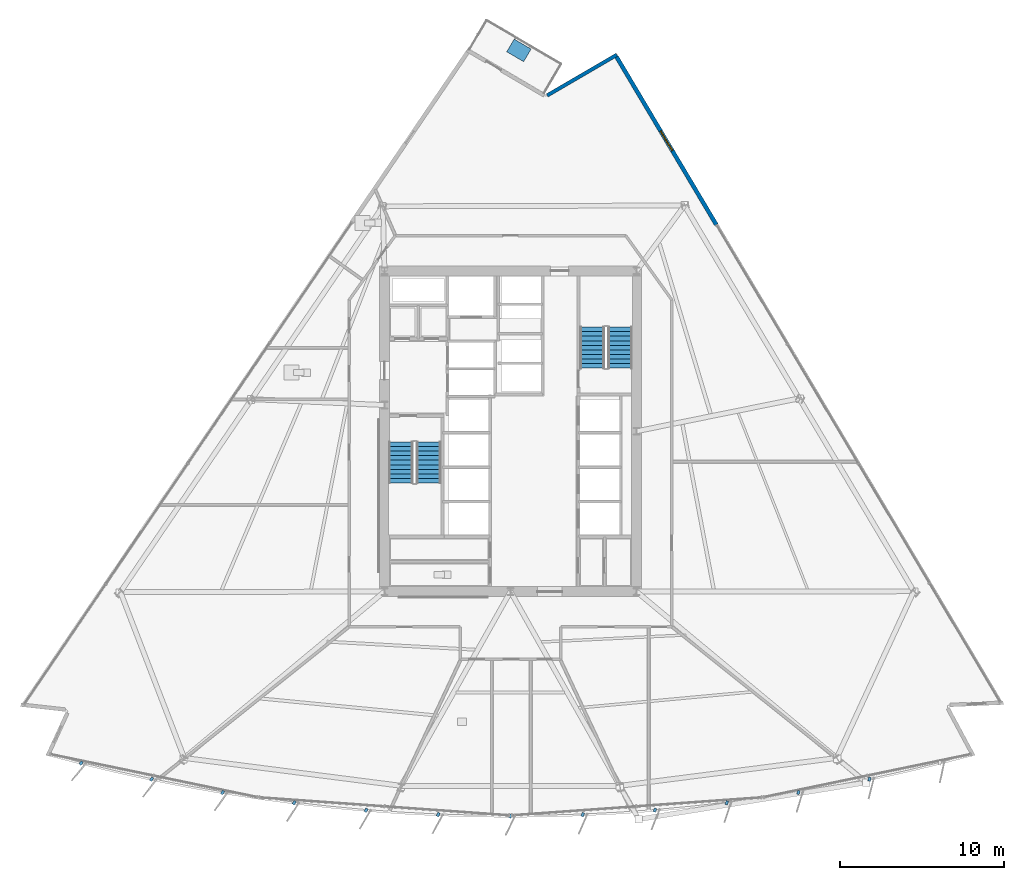
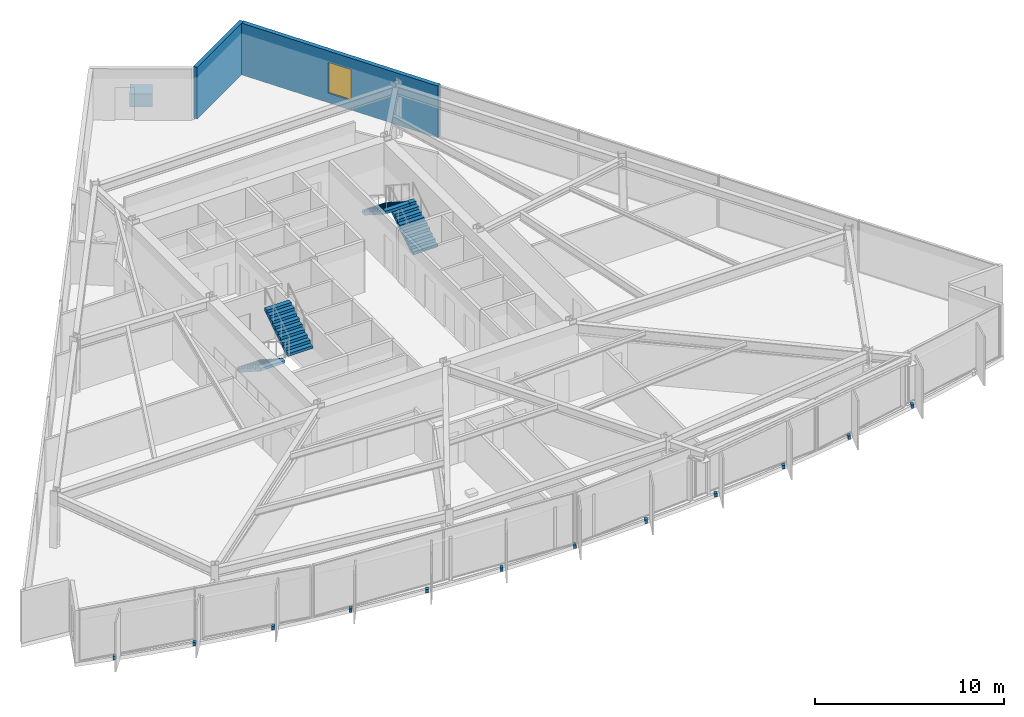
# One storey, part 11 of 18: 13 discrete accessories, 4 stair flights, 2 walls, 1 window, 1 opening, 2 elements without a shape of their own.
"""IFC4 building model written with IfcOpenShell, lengths in metres."""

from ifc_helpers import new_model, si_unit, direction, frame, frame_2d, origin, origin_2d, place, context, subcontext, project, spatial, polyline, rectangle, outline, extrude, material, layer, layer_set, type_object, element, fill, aggregate, save


model = new_model("IFC4")

# Units and contexts
model_context = context("Model", 3, precision=1e-05, world=origin(), true_north=direction((0.0, 1.0)))
body_context = subcontext(model_context, "Body", "Model", "MODEL_VIEW")
ifc_project = project(units=[si_unit("LENGTHUNIT", "METRE"), si_unit("AREAUNIT", "SQUARE_METRE"), si_unit("VOLUMEUNIT", "CUBIC_METRE"), si_unit("PLANEANGLEUNIT", "RADIAN"), si_unit("MASSUNIT", "GRAM", prefix="KILO")], contexts=[model_context])

# Site, building, storey
site_placement = place(None, origin())
site = spatial("IfcSite", under=ifc_project, at=site_placement, CompositionType="ELEMENT")
building_placement = place(site_placement, origin())
building = spatial("IfcBuilding", under=site, at=building_placement, Name="Savorim Split Tower", CompositionType="ELEMENT")
storey_placement = place(building_placement, frame((0.0, 0.0, 44.39990234375)))
storey = spatial("IfcBuildingStorey", under=building, at=storey_placement, Name="L11", CompositionType="ELEMENT", Elevation=44.39990234375)

# Wall
ifc_material_1 = material(Name="Precast concrete C40/50", Category="concrete")
ifc_layer_1 = layer(ifc_material_1, 0.219970703125)
ifc_layer_set_1 = layer_set([ifc_layer_1], Name="WAL-EXT-CRN220")
wall_type_1 = type_object("IfcWallType", Name="WAL-EXT-CRN220", PredefinedType="SOLIDWALL", material=ifc_layer_set_1)
wall_1_placement = place(storey_placement, frame((2.2451171875, 20.9248046875, 0.0), z_axis=(0.0, 0.0, 1.0), x_axis=(0.863967641515, 0.503547330858, 0.0)))
element("IfcWall", 1, at=wall_1_placement, inside=storey, type_object=wall_type_1, Name="L11 Notched Corner Facade Wall NE1", PredefinedType="SOLIDWALL", context=body_context, shape_type="SweptSolid", body=[
    extrude(rectangle(XDim=4.924560546875, YDim=0.219970703125, at=frame_2d((2.46240234375, 0.0))), origin(), (0.0, 0.0, 1.0), 3.35009765625),
])

# Wall, opening, window
ifc_layer_2 = layer(ifc_material_1, 0.25)
ifc_layer_set_2 = layer_set([ifc_layer_2], Name="WAL-EXT-SPN250")
wall_type_2 = type_object("IfcWallType", Name="WAL-EXT-SPN250", PredefinedType="SOLIDWALL", material=ifc_layer_set_2)
wall_2_placement = place(storey_placement, frame((6.483154296875, 23.278076171875, 0.0), z_axis=(0.0, 0.0, 1.0), x_axis=(0.511086421046, -0.859529330635, 0.0)))
wall_2 = element("IfcWall", 2, at=wall_2_placement, inside=storey, type_object=wall_type_2, Name="L11 East Operable Window Pier", PredefinedType="SOLIDWALL", context=body_context, shape_type="SweptSolid", body=[
    extrude(rectangle(XDim=11.93505859375, YDim=0.25, at=frame_2d((5.967529296875, 0.0))), origin(), (0.0, 0.0, 1.0), 3.35009765625),
])
opening_placement = place(wall_2_placement, frame((5.267578125, 0.0, 0.6201171875)))
opening = element("IfcOpeningElement", 3, at=opening_placement, cuts=wall_2, Name="Opening WN-07", PredefinedType="OPENING", context=body_context, shape_type="SweptSolid", body=[
    extrude(rectangle(XDim=1.39990234375, YDim=2.0, at=frame_2d((0.699951171875, 1.0))), frame((0.0, 0.135009765625, 0.0), z_axis=(0.0, -1.0, 0.0), x_axis=(1.0, 0.0, 0.0)), (0.0, 0.0, 1.0), 0.27001953125),
])
ifc_material_2 = material(Name="Low-E Operable Double Glazing", Category="glass")
window_type = type_object("IfcWindowType", Name="WIN-TWR-1400x2000", PartitioningType="SINGLE_PANEL", PredefinedType="WINDOW", material=ifc_material_2)
window_placement = place(opening_placement, origin())
window = element("IfcWindow", 4, at=window_placement, inside=storey, type_object=window_type, Name="L11 East Operable Ventilation Window", OverallHeight=2.0, OverallWidth=1.39990234375, PartitioningType="SINGLE_PANEL", PredefinedType="WINDOW", context=body_context, shape_type="SweptSolid", body=[
    extrude(rectangle(XDim=1.39990234375, YDim=2.0, at=frame_2d((0.699951171875, 1.0))), frame((0.0, 0.030029296875, 0.0), z_axis=(0.0, -1.0, 0.0), x_axis=(1.0, 0.0, 0.0)), (0.0, 0.0, 1.0), 0.06005859375),
])
fill(opening, window)

# Stair, stair flights
ifc_material_3 = material(Name="Concrete C50/60", Category="concrete")
stair_type = type_object("IfcStairType", Name="STR-DOG-3600", PredefinedType="HALF_TURN_STAIR", material=ifc_material_3)
stair_1_placement = place(storey_placement, origin())
stair_1 = element("IfcStair", 5, at=stair_1_placement, inside=storey, type_object=stair_type, Name="L11 Core Protected Exit Stair ST-1", PredefinedType="HALF_TURN_STAIR")
stair_flight_type = type_object("IfcStairFlightType", Name="SFL-DOG-3600", PredefinedType="STRAIGHT", material=ifc_material_3)
stair_flight_1_placement = place(storey_placement, frame((-6.699951171875, -0.25, 0.0), z_axis=(0.0, 0.0, 1.0), x_axis=(0.0, -1.0, 0.0)))
stair_flight_1 = element("IfcStairFlight", 6, at=stair_flight_1_placement, type_object=stair_flight_type, Name="ST-1 flight 1", NumberOfRisers=10, NumberOfTreads=9, PredefinedType="STRAIGHT", RiserHeight=0.18, TreadLength=0.28, context=body_context, shape_type="SweptSolid", body=[
    extrude(outline(polyline([(0.0, 0.0), (0.0, 0.179931640625), (0.280029296875, 0.179931640625), (0.280029296875, 0.360107421875), (0.56005859375, 0.360107421875), (0.56005859375, 0.5400390625), (0.840087890625, 0.5400390625), (0.840087890625, 0.719970703125), (1.1201171875, 0.719970703125), (1.1201171875, 0.89990234375), (1.39990234375, 0.89990234375), (1.39990234375, 1.080078125), (1.679931640625, 1.080078125), (1.679931640625, 1.260009765625), (1.9599609375, 1.260009765625), (1.9599609375, 1.43994140625), (2.239990234375, 1.43994140625), (2.239990234375, 1.6201171875), (2.52001953125, 1.6201171875), (2.52001953125, 1.800048828125), (2.52001953125, 1.44189453125), (0.277099609375, 0.0), (0.0, 0.0)])), frame((0.0, 0.75, 0.0), z_axis=(0.0, -1.0, 0.0), x_axis=(1.0, 0.0, 0.0)), (0.0, 0.0, 1.0), 1.5),
])
stair_flight_2_placement = place(storey_placement, frame((-5.0, -2.77001953125, 1.800048828125), z_axis=(0.0, 0.0, 1.0), x_axis=(0.0, 1.0, 0.0)))
stair_flight_2 = element("IfcStairFlight", 7, at=stair_flight_2_placement, type_object=stair_flight_type, Name="ST-1 flight 2", NumberOfRisers=10, NumberOfTreads=9, PredefinedType="STRAIGHT", RiserHeight=0.18, TreadLength=0.28, context=body_context, shape_type="SweptSolid", body=[
    extrude(outline(polyline([(0.0, 0.0), (0.0, 0.179931640625), (0.280029296875, 0.179931640625), (0.280029296875, 0.360107421875), (0.56005859375, 0.360107421875), (0.56005859375, 0.5400390625), (0.840087890625, 0.5400390625), (0.840087890625, 0.719970703125), (1.1201171875, 0.719970703125), (1.1201171875, 0.89990234375), (1.39990234375, 0.89990234375), (1.39990234375, 1.080078125), (1.679931640625, 1.080078125), (1.679931640625, 1.260009765625), (1.9599609375, 1.260009765625), (1.9599609375, 1.43994140625), (2.239990234375, 1.43994140625), (2.239990234375, 1.6201171875), (2.52001953125, 1.6201171875), (2.52001953125, 1.800048828125), (2.52001953125, 1.44189453125), (0.277099609375, 0.0), (0.0, 0.0)])), frame((0.0, 0.75, 0.0), z_axis=(0.0, -1.0, 0.0), x_axis=(1.0, 0.0, 0.0)), (0.0, 0.0, 1.0), 1.5),
])
aggregate(stair_1, [stair_flight_1, stair_flight_2])

stair_2_placement = place(storey_placement, origin())
stair_2 = element("IfcStair", 8, at=stair_2_placement, inside=storey, type_object=stair_type, Name="L11 Core Protected Exit Stair ST-2", PredefinedType="HALF_TURN_STAIR")
stair_flight_3_placement = place(storey_placement, frame((6.699951171875, 4.25, 0.0), z_axis=(0.0, 0.0, 1.0), x_axis=(0.0, 1.0, 0.0)))
stair_flight_3 = element("IfcStairFlight", 9, at=stair_flight_3_placement, type_object=stair_flight_type, Name="ST-2 flight 1", NumberOfRisers=10, NumberOfTreads=9, PredefinedType="STRAIGHT", RiserHeight=0.18, TreadLength=0.28, context=body_context, shape_type="SweptSolid", body=[
    extrude(outline(polyline([(0.0, 0.0), (0.0, 0.179931640625), (0.280029296875, 0.179931640625), (0.280029296875, 0.360107421875), (0.56005859375, 0.360107421875), (0.56005859375, 0.5400390625), (0.840087890625, 0.5400390625), (0.840087890625, 0.719970703125), (1.1201171875, 0.719970703125), (1.1201171875, 0.89990234375), (1.39990234375, 0.89990234375), (1.39990234375, 1.080078125), (1.679931640625, 1.080078125), (1.679931640625, 1.260009765625), (1.9599609375, 1.260009765625), (1.9599609375, 1.43994140625), (2.239990234375, 1.43994140625), (2.239990234375, 1.6201171875), (2.52001953125, 1.6201171875), (2.52001953125, 1.800048828125), (2.52001953125, 1.44189453125), (0.277099609375, 0.0), (0.0, 0.0)])), frame((0.0, 0.75, 0.0), z_axis=(0.0, -1.0, 0.0), x_axis=(1.0, 0.0, 0.0)), (0.0, 0.0, 1.0), 1.5),
])
stair_flight_4_placement = place(storey_placement, frame((5.0, 6.77001953125, 1.800048828125), z_axis=(0.0, 0.0, 1.0), x_axis=(0.0, -1.0, 0.0)))
stair_flight_4 = element("IfcStairFlight", 10, at=stair_flight_4_placement, type_object=stair_flight_type, Name="ST-2 flight 2", NumberOfRisers=10, NumberOfTreads=9, PredefinedType="STRAIGHT", RiserHeight=0.18, TreadLength=0.28, context=body_context, shape_type="SweptSolid", body=[
    extrude(outline(polyline([(0.0, 0.0), (0.0, 0.179931640625), (0.280029296875, 0.179931640625), (0.280029296875, 0.360107421875), (0.56005859375, 0.360107421875), (0.56005859375, 0.5400390625), (0.840087890625, 0.5400390625), (0.840087890625, 0.719970703125), (1.1201171875, 0.719970703125), (1.1201171875, 0.89990234375), (1.39990234375, 0.89990234375), (1.39990234375, 1.080078125), (1.679931640625, 1.080078125), (1.679931640625, 1.260009765625), (1.9599609375, 1.260009765625), (1.9599609375, 1.43994140625), (2.239990234375, 1.43994140625), (2.239990234375, 1.6201171875), (2.52001953125, 1.6201171875), (2.52001953125, 1.800048828125), (2.52001953125, 1.44189453125), (0.277099609375, 0.0), (0.0, 0.0)])), frame((0.0, 0.75, 0.0), z_axis=(0.0, -1.0, 0.0), x_axis=(1.0, 0.0, 0.0)), (0.0, 0.0, 1.0), 1.5),
])
aggregate(stair_2, [stair_flight_3, stair_flight_4])

# Discrete accessories
ifc_material_4 = material(Name="Steel S355", Category="steel")
discrete_accessory_type_1 = type_object("IfcDiscreteAccessoryType", Name="ACC-BRK-FIN", PredefinedType="BRACKET", material=ifc_material_4)
for number, where, z_axis, x_axis, name in (
    (11, (-26.241943359375, -19.881591796875, -0.18994140625), (0.0, 0.0, 1.0), (-0.643719022682, -0.765261928909, 0.0), "L11 Fin Slab-Edge Cleat Bracket 01"),
    (12, (-21.935791015625, -20.86767578125, -0.18994140625), (0.0, 0.0, 1.0), (-0.611868076908, -0.790959832394, 0.0), "L11 Fin Slab-Edge Cleat Bracket 02"),
    (13, (-17.593017578125, -21.6767578125, -0.18994140625), (0.0, 0.0, 1.0), (-0.578993757737, -0.815331974414, 0.0), "L11 Fin Slab-Edge Cleat Bracket 03"),
    (14, (-13.220458984375, -22.307373046875, -0.18994140625), (0.0, 0.0, 1.0), (-0.545148321708, -0.838339613366, 0.0), "L11 Fin Slab-Edge Cleat Bracket 04"),
    (15, (-8.825927734375, -22.758544921875, -0.18994140625), (0.0, 0.0, 1.0), (-0.510391336723, -0.859942255851, 0.0), "L11 Fin Slab-Edge Cleat Bracket 05"),
    (16, (-4.416748046875, -23.029541015625, -0.18994140625), (0.0, 0.0, 1.0), (-0.474778051978, -0.880105562623, 0.0), "L11 Fin Slab-Edge Cleat Bracket 06"),
    (17, (0.0, -23.1201171875, -0.18994140625), (0.0, 0.0, 1.0), (-0.438371146789, -0.898794046299, 0.0), "L11 Fin Slab-Edge Cleat Bracket 07"),
    (18, (4.416748046875, -23.029541015625, -0.18994140625), (0.0, 0.0, 1.0), (-0.401230091723, -0.915977299662, 0.0), "L11 Fin Slab-Edge Cleat Bracket 08"),
    (19, (8.825927734375, -22.758544921875, -0.18994140625), (0.0, 0.0, 1.0), (-0.363415461732, -0.931627179817, 0.0), "L11 Fin Slab-Edge Cleat Bracket 09"),
    (20, (13.220458984375, -22.307373046875, -0.18994140625), (0.0, 0.0, 1.0), (-0.324993810493, -0.945716143005, 0.0), "L11 Fin Slab-Edge Cleat Bracket 10"),
    (21, (17.593017578125, -21.6767578125, -0.18994140625), (0.0, 0.0, 1.0), (-0.286026212504, -0.958221793616, 0.0), "L11 Fin Slab-Edge Cleat Bracket 11"),
    (22, (21.935791015625, -20.86767578125, -0.18994140625), (0.0, 0.0, 1.0), (-0.246581250663, -0.969122121727, 0.0), "L11 Fin Slab-Edge Cleat Bracket 12"),
):
    element("IfcDiscreteAccessory", number, at=place(storey_placement, frame(where, z_axis=z_axis, x_axis=x_axis)), inside=storey, type_object=discrete_accessory_type_1, Name=name, PredefinedType="BRACKET", context=body_context, shape_type="SweptSolid", body=[
        extrude(rectangle(XDim=0.239990234375, YDim=0.159912109375, at=origin_2d()), origin(), (0.0, 0.0, 1.0), 0.219970703125),
    ])
ifc_material_5 = material(Name="Architectural Precast Planter Concrete C40/50", Category="concrete")
discrete_accessory_type_2 = type_object("IfcDiscreteAccessoryType", Name="ACC-PLN-TREE", PredefinedType="USERDEFINED", material=ifc_material_5)
discrete_accessory_placement = place(storey_placement, frame((0.515625, 23.674072265625, 0.0), z_axis=(0.0, 0.0, 1.0), x_axis=(-0.862125693233, 0.506694473098, 0.0)))
element("IfcDiscreteAccessory", 23, at=discrete_accessory_placement, inside=storey, type_object=discrete_accessory_type_2, Name="L11 Balcony Precast Tree Planter N", ObjectType="PLANTER", PredefinedType="USERDEFINED", context=body_context, shape_type="SweptSolid", body=[
    extrude(rectangle(XDim=1.199951171875, YDim=0.89990234375, at=origin_2d()), origin(), (0.0, 0.0, 1.0), 0.85009765625),
])

save(model, "model.ifc")
